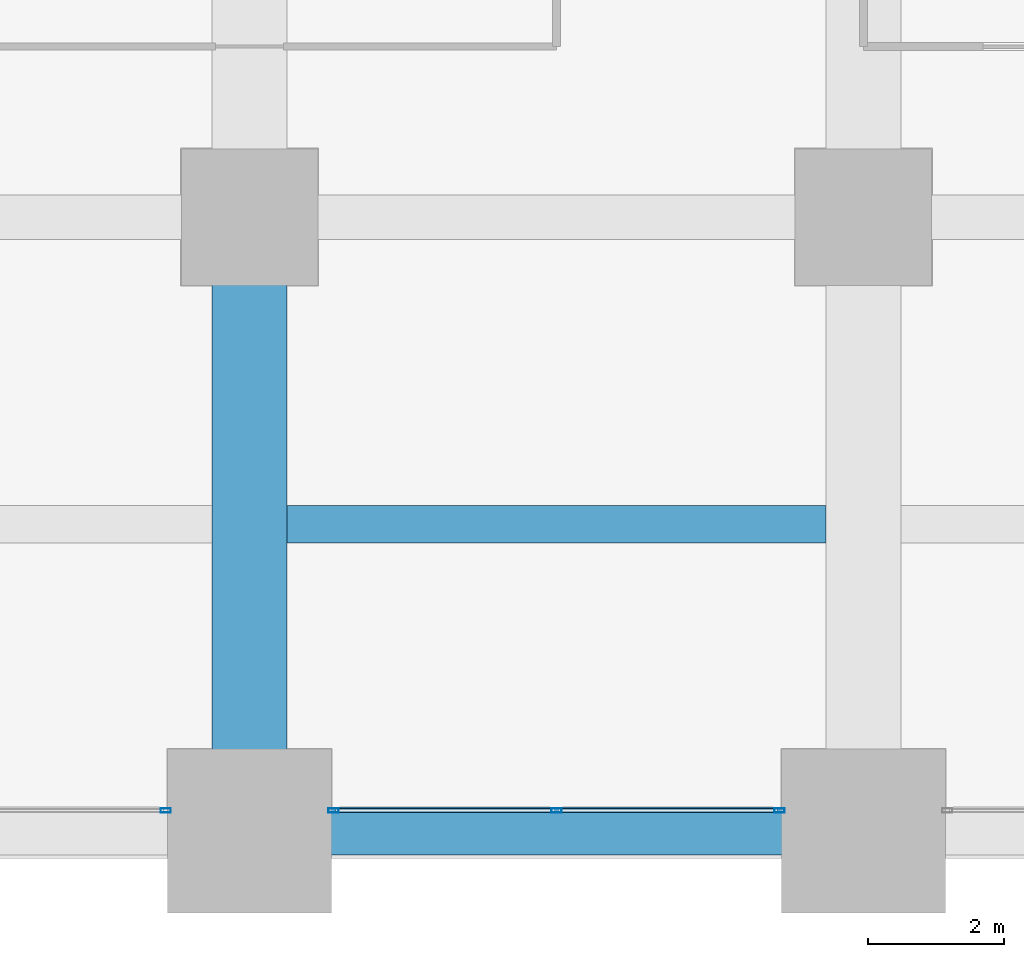
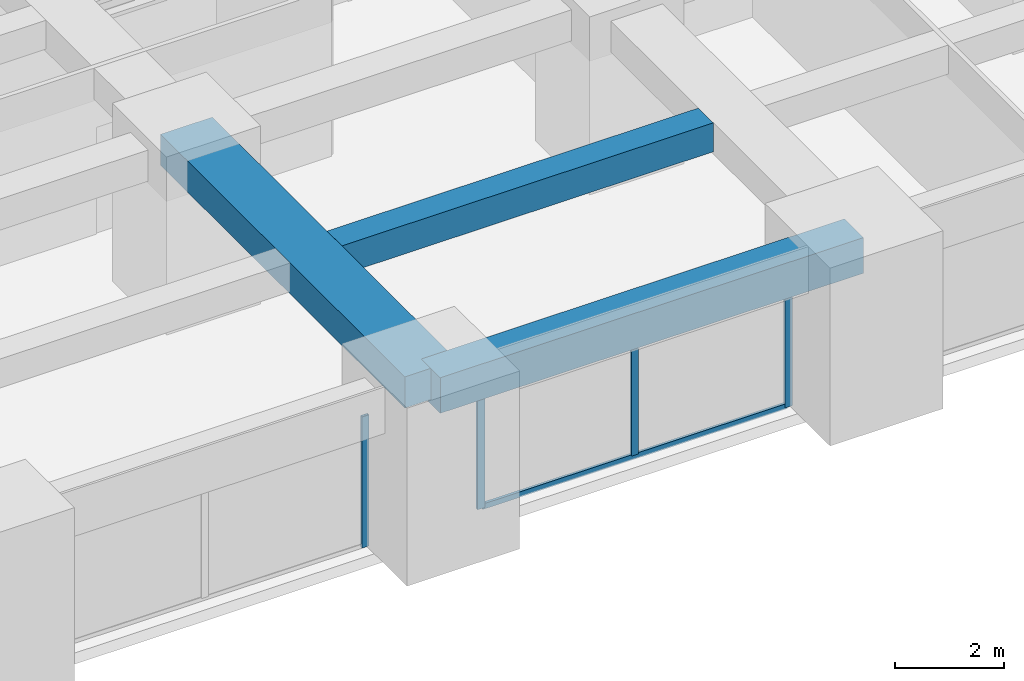
# One storey, part 6 of 41: 5 members, 3 beams, 2 elements without a shape of their own.
"""IFC4 building model written with IfcOpenShell, lengths in metres."""

from ifc_helpers import new_model, si_unit, direction, frame, origin, origin_2d, place, context, subcontext, project, spatial, rectangle, hollow_rectangle, extrude, material, material_profile, profile_set, type_object, element, aggregate, save


model = new_model("IFC4")

# Units and contexts
model_context = context("Model", 3, precision=1e-05, world=origin(), true_north=direction((0.0, 1.0)))
body_context = subcontext(model_context, "Body", "Model", "MODEL_VIEW")
ifc_project = project(units=[si_unit("LENGTHUNIT", "METRE"), si_unit("AREAUNIT", "SQUARE_METRE"), si_unit("VOLUMEUNIT", "CUBIC_METRE"), si_unit("PLANEANGLEUNIT", "RADIAN"), si_unit("MASSUNIT", "GRAM", prefix="KILO")], contexts=[model_context])

# Site, building, storey
site_placement = place(None, origin())
site = spatial("IfcSite", under=ifc_project, at=site_placement, CompositionType="ELEMENT")
building_placement = place(site_placement, origin())
building = spatial("IfcBuilding", under=site, at=building_placement, Name="Zorevar Civic Tower", CompositionType="ELEMENT")
storey_placement = place(building_placement, frame((0.0, 0.0, 109.0)))
storey = spatial("IfcBuildingStorey", under=building, at=storey_placement, Name="L26", CompositionType="ELEMENT", Elevation=109.0)

# Beams
ifc_material_1 = material(Name="Concrete C50/60", Category="concrete")
ifc_material_profile_1 = material_profile(ifc_material_1, rectangle(XDim=1.10009765625, YDim=0.699951171875, at=origin_2d()), Name="RC 1100x700")
ifc_profile_set_1 = profile_set([ifc_material_profile_1], Name="Concrete C50/60")
beam_type_1 = type_object("IfcBeamType", Name="Beam RC 1100x700", PredefinedType="BEAM", material=ifc_profile_set_1)
beam_1_placement = place(storey_placement, frame((18.0, 0.0, 3.39990234375), z_axis=(0.0, 1.0, 0.0), x_axis=(-1.0, 0.0, 0.0)))
element("IfcBeam", 1, at=beam_1_placement, inside=storey, type_object=beam_type_1, Name="Girder L27", PredefinedType="BEAM", context=body_context, shape_type="SweptSolid", body=[
    extrude(rectangle(XDim=1.10009765625, YDim=0.699951171875, at=origin_2d()), origin(), (0.0, 0.0, 1.0), 9.0),
])
ifc_material_2 = material(Name="Concrete C50/60", Category="concrete")
ifc_material_profile_2 = material_profile(ifc_material_2, rectangle(XDim=0.550048828125, YDim=0.64990234375, at=origin_2d()), Name="RC 550x650")
ifc_profile_set_2 = profile_set([ifc_material_profile_2], Name="Concrete C50/60")
beam_type_2 = type_object("IfcBeamType", Name="Beam RC 550x650", PredefinedType="BEAM", material=ifc_profile_set_2)
beam_2_placement = place(storey_placement, frame((18.550048828125, 4.5, 3.425048828125), z_axis=(1.0, 0.0, 0.0), x_axis=(0.0, 1.0, 0.0)))
element("IfcBeam", 2, at=beam_2_placement, inside=storey, type_object=beam_type_2, Name="Secondary beam L27", PredefinedType="BEAM", context=body_context, shape_type="SweptSolid", body=[
    extrude(rectangle(XDim=0.550048828125, YDim=0.64990234375, at=origin_2d()), origin(), (0.0, 0.0, 1.0), 7.89990234375),
])

# Curtain wall, member
ifc_material_3 = material(Name="Dark grey solar-control glass in black aluminium frame", Category="aluminium")
curtain_wall_type = type_object("IfcCurtainWallType", Name="Curtain wall CW3 mid zone", PredefinedType="NOTDEFINED", material=ifc_material_3)
curtain_wall_1_placement = place(storey_placement, origin())
curtain_wall_1 = element("IfcCurtainWall", 3, at=curtain_wall_1_placement, inside=storey, type_object=curtain_wall_type, Name="CW3 L26", PredefinedType="NOTDEFINED")
ifc_material_4 = material(Name="Aluminium, black anodised", Category="aluminium")
ifc_material_profile_3 = material_profile(ifc_material_4, hollow_rectangle(XDim=0.06005859375, YDim=0.14990234375, WallThickness=0.00390625, at=origin_2d()), Name="AL 150x60x4")
ifc_profile_set_3 = profile_set([ifc_material_profile_3], Name="Aluminium, black anodised")
member_type_1 = type_object("IfcMemberType", Name="CW3 mullion AL 150x60x4", PredefinedType="MULLION", material=ifc_profile_set_3)
member_1_placement = place(storey_placement, frame((16.77001953125, 0.300048828125, 0.0), z_axis=(0.0, 0.0, 1.0), x_axis=(0.0, 1.0, 0.0)))
member_1 = element("IfcMember", 4, at=member_1_placement, type_object=member_type_1, Name="CW3 mullion 3", PredefinedType="MULLION", context=body_context, shape_type="SweptSolid", body=[
    extrude(hollow_rectangle(XDim=0.06005859375, YDim=0.14990234375, WallThickness=0.00390625, at=origin_2d()), origin(), (0.0, 0.0, 1.0), 2.949951171875),
])
aggregate(curtain_wall_1, [member_1])

# Curtain wall, members
curtain_wall_2_placement = place(storey_placement, origin())
curtain_wall_2 = element("IfcCurtainWall", 5, at=curtain_wall_2_placement, inside=storey, type_object=curtain_wall_type, Name="CW3 L26", PredefinedType="NOTDEFINED")
member_2_placement = place(storey_placement, frame((19.22998046875, 0.300048828125, 0.0), z_axis=(0.0, 0.0, 1.0), x_axis=(0.0, 1.0, 0.0)))
member_2 = element("IfcMember", 6, at=member_2_placement, type_object=member_type_1, Name="CW3 mullion 1", PredefinedType="MULLION", context=body_context, shape_type="SweptSolid", body=[
    extrude(hollow_rectangle(XDim=0.06005859375, YDim=0.14990234375, WallThickness=0.00390625, at=origin_2d()), origin(), (0.0, 0.0, 1.0), 2.949951171875),
])
member_3_placement = place(storey_placement, frame((22.5, 0.300048828125, 0.06005859375), z_axis=(0.0, 0.0, 1.0), x_axis=(0.0, 1.0, 0.0)))
member_3 = element("IfcMember", 7, at=member_3_placement, type_object=member_type_1, Name="CW3 mullion 2", PredefinedType="MULLION", context=body_context, shape_type="SweptSolid", body=[
    extrude(hollow_rectangle(XDim=0.06005859375, YDim=0.14990234375, WallThickness=0.00390625, at=origin_2d()), origin(), (0.0, 0.0, 1.0), 2.889892578125),
])
member_4_placement = place(storey_placement, frame((25.77001953125, 0.300048828125, 0.0), z_axis=(0.0, 0.0, 1.0), x_axis=(0.0, 1.0, 0.0)))
member_4 = element("IfcMember", 8, at=member_4_placement, type_object=member_type_1, Name="CW3 mullion 3", PredefinedType="MULLION", context=body_context, shape_type="SweptSolid", body=[
    extrude(hollow_rectangle(XDim=0.06005859375, YDim=0.14990234375, WallThickness=0.00390625, at=origin_2d()), origin(), (0.0, 0.0, 1.0), 2.949951171875),
])
ifc_material_5 = material(Name="Aluminium, black anodised", Category="aluminium")
ifc_material_profile_4 = material_profile(ifc_material_5, hollow_rectangle(XDim=0.06005859375, YDim=0.1201171875, WallThickness=0.0029296875, at=origin_2d()), Name="AL 120x60x3")
ifc_profile_set_4 = profile_set([ifc_material_profile_4], Name="Aluminium, black anodised")
member_type_2 = type_object("IfcMemberType", Name="CW3 transom AL 120x60x3", PredefinedType="USERDEFINED", material=ifc_profile_set_4)
member_5_placement = place(storey_placement, frame((19.260009765625, 0.300048828125, 0.030029296875), z_axis=(1.0, 0.0, 0.0), x_axis=(0.0, 1.0, 0.0)))
member_5 = element("IfcMember", 9, at=member_5_placement, type_object=member_type_2, Name="CW3 sill transom", ObjectType="TRANSOM", PredefinedType="USERDEFINED", context=body_context, shape_type="SweptSolid", body=[
    extrude(hollow_rectangle(XDim=0.06005859375, YDim=0.1201171875, WallThickness=0.0029296875, at=origin_2d()), origin(), (0.0, 0.0, 1.0), 6.47998046875),
])
aggregate(curtain_wall_2, [member_2, member_3, member_4, member_5])

# Beam
ifc_material_6 = material(Name="Concrete C50/60", Category="concrete")
ifc_material_profile_5 = material_profile(ifc_material_6, rectangle(XDim=0.699951171875, YDim=0.800048828125, at=origin_2d()), Name="RC 700x800")
ifc_profile_set_5 = profile_set([ifc_material_profile_5], Name="Concrete C50/60")
beam_type_3 = type_object("IfcBeamType", Name="Edge beam RC 700x800", PredefinedType="SPANDREL", material=ifc_profile_set_5)
beam_3_placement = place(storey_placement, frame((18.0, 0.0, 3.35009765625), z_axis=(1.0, 0.0, 0.0), x_axis=(0.0, 1.0, 0.0)))
element("IfcBeam", 10, at=beam_3_placement, inside=storey, type_object=beam_type_3, Name="Edge beam L27", PredefinedType="SPANDREL", context=body_context, shape_type="SweptSolid", body=[
    extrude(rectangle(XDim=0.699951171875, YDim=0.800048828125, at=origin_2d()), origin(), (0.0, 0.0, 1.0), 9.0),
])

save(model, "model.ifc")
